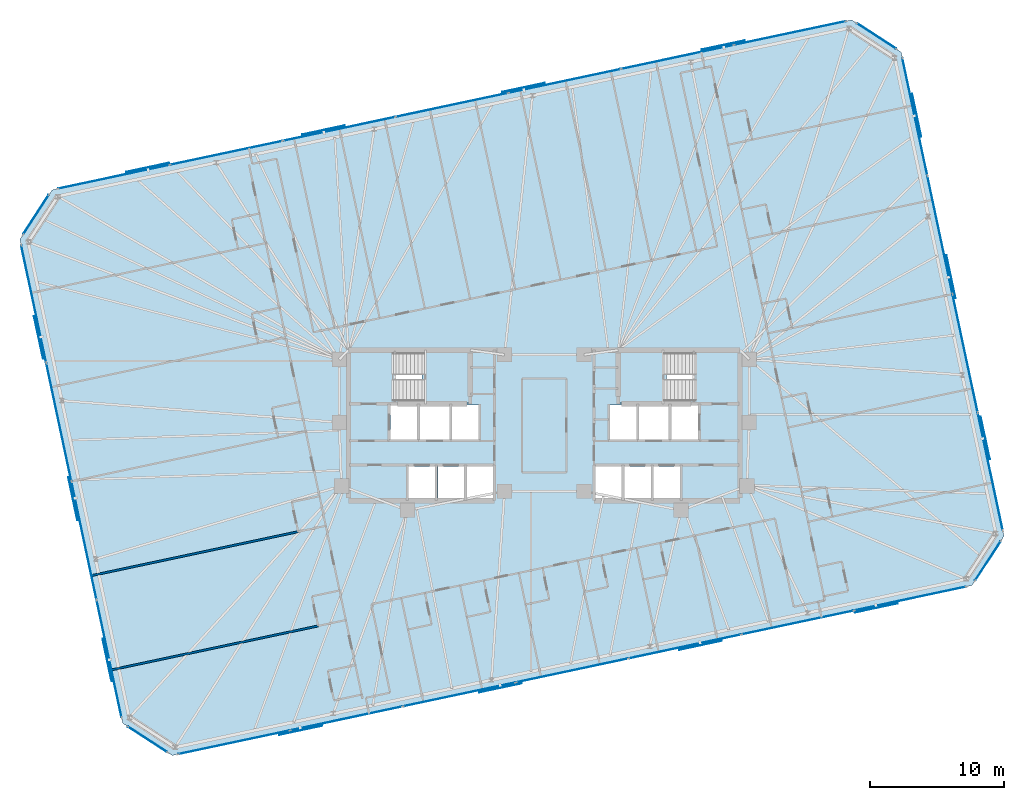
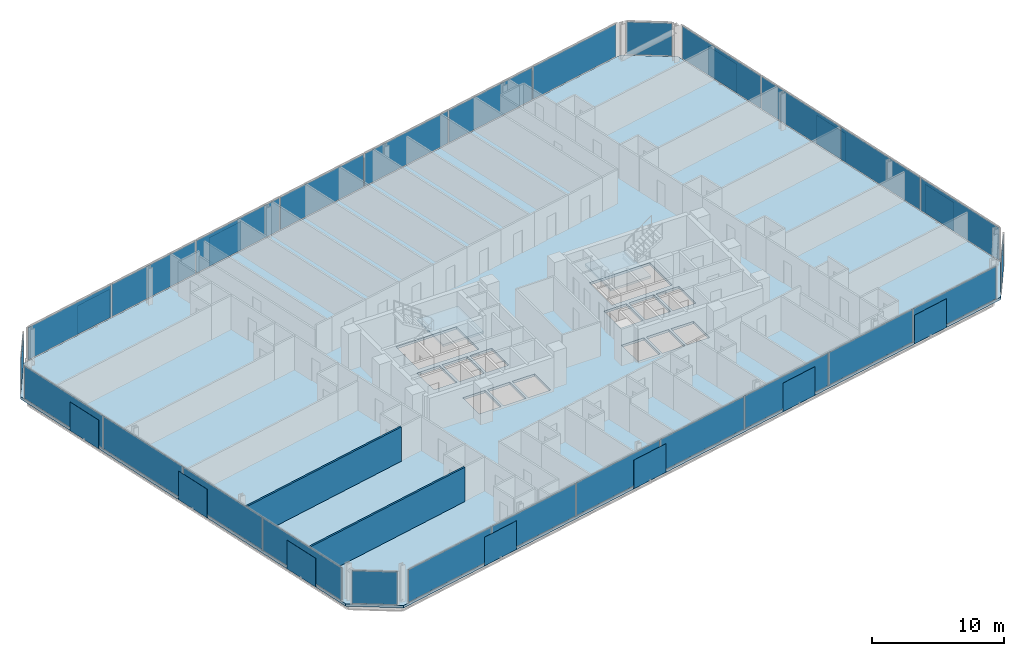
# One storey, part 13 of 21: 40 plates, 3 slabs, 2 walls, 10 elements without a shape of their own.
"""IFC4 building model written with IfcOpenShell, lengths in metres."""

from ifc_helpers import new_model, si_unit, direction, frame, frame_2d, origin, origin_2d, place, context, subcontext, project, spatial, polyline, rectangle, outline, extrude, material, layer, layer_set, type_object, element, aggregate, save


model = new_model("IFC4")

# Units and contexts
model_context = context("Model", 3, precision=1e-05, world=origin(), true_north=direction((0.0, 1.0)))
body_context = subcontext(model_context, "Body", "Model", "MODEL_VIEW")
ifc_project = project(units=[si_unit("LENGTHUNIT", "METRE"), si_unit("AREAUNIT", "SQUARE_METRE"), si_unit("VOLUMEUNIT", "CUBIC_METRE"), si_unit("PLANEANGLEUNIT", "RADIAN"), si_unit("MASSUNIT", "GRAM", prefix="KILO")], contexts=[model_context])

# Site, building, storey
site_placement = place(None, origin())
site = spatial("IfcSite", under=ifc_project, at=site_placement, CompositionType="ELEMENT")
building_placement = place(site_placement, origin())
building = spatial("IfcBuilding", under=site, at=building_placement, Name="Menara Jurai Vektor", CompositionType="ELEMENT")
storey_placement = place(building_placement, frame((0.0, 0.0, 188.800048828125)))
storey = spatial("IfcBuildingStorey", under=building, at=storey_placement, Name="L49", CompositionType="ELEMENT", Elevation=188.800048828125)

# Curtain wall, plates
ifc_material_1 = material(Name="Anodised Pale Aluminium & Low-E Double Glazing", Category="aluminium")
curtain_wall_type = type_object("IfcCurtainWallType", Name="CW-BLK3", PredefinedType="NOTDEFINED", material=ifc_material_1)
curtain_wall_1_placement = place(storey_placement, origin())
curtain_wall_1 = element("IfcCurtainWall", 1, at=curtain_wall_1_placement, inside=storey, type_object=curtain_wall_type, Name="Unitised Curtain Wall L49 F01", PredefinedType="NOTDEFINED")
ifc_material_2 = material(Name="Low-E Solar-Control Double Glazed Unit", Category="glass")
ifc_layer_1 = layer(ifc_material_2, 0.031982421875)
ifc_layer_set_1 = layer_set([ifc_layer_1], Name="Low-E Solar-Control Double Glazed Unit")
plate_type_1 = type_object("IfcPlateType", Name="CW-BLK3-PNL", PredefinedType="CURTAIN_PANEL", material=ifc_layer_set_1)
plate_1_placement = place(storey_placement, frame((-23.078369140625, -23.57568359375, 0.0849609375), z_axis=(0.0, 0.0, 1.0), x_axis=(0.978147674419, 0.207911344156, 0.0)))
plate_1 = element("IfcPlate", 2, at=plate_1_placement, type_object=plate_type_1, Name="CW-03 panel 1.1", PredefinedType="CURTAIN_PANEL", context=body_context, shape_type="SweptSolid", body=[
    extrude(rectangle(XDim=8.44970703125, YDim=0.031982421875, at=origin_2d()), origin(), (0.0, 0.0, 1.0), 3.0048828125),
])
plate_2_placement = place(storey_placement, frame((-14.709228515625, -21.796875, 0.0849609375), z_axis=(0.0, 0.0, 1.0), x_axis=(0.978147674419, 0.207911344156, 0.0)))
plate_2 = element("IfcPlate", 3, at=plate_2_placement, type_object=plate_type_1, Name="CW-03 panel 2.1", PredefinedType="CURTAIN_PANEL", context=body_context, shape_type="SweptSolid", body=[
    extrude(rectangle(XDim=8.4921875, YDim=0.031982421875, at=origin_2d()), origin(), (0.0, 0.0, 1.0), 3.0048828125),
])
plate_3_placement = place(storey_placement, frame((-6.319580078125, -20.013427734375, 0.0849609375), z_axis=(0.0, 0.0, 1.0), x_axis=(0.978147674419, 0.207911344156, 0.0)))
plate_3 = element("IfcPlate", 4, at=plate_3_placement, type_object=plate_type_1, Name="CW-03 panel 3.1", PredefinedType="CURTAIN_PANEL", context=body_context, shape_type="SweptSolid", body=[
    extrude(rectangle(XDim=8.4921875, YDim=0.031982421875, at=origin_2d()), origin(), (0.0, 0.0, 1.0), 3.0048828125),
])
plate_4_placement = place(storey_placement, frame((2.070068359375, -18.230224609375, 0.0849609375), z_axis=(0.0, 0.0, 1.0), x_axis=(0.978147674419, 0.207911344156, 0.0)))
plate_4 = element("IfcPlate", 5, at=plate_4_placement, type_object=plate_type_1, Name="CW-03 panel 4.1", PredefinedType="CURTAIN_PANEL", context=body_context, shape_type="SweptSolid", body=[
    extrude(rectangle(XDim=8.4921875, YDim=0.031982421875, at=origin_2d()), origin(), (0.0, 0.0, 1.0), 3.0048828125),
])
plate_5_placement = place(storey_placement, frame((10.459716796875, -16.447021484375, 0.0849609375), z_axis=(0.0, 0.0, 1.0), x_axis=(0.978147674419, 0.207911344156, 0.0)))
plate_5 = element("IfcPlate", 6, at=plate_5_placement, type_object=plate_type_1, Name="CW-03 panel 5.1", PredefinedType="CURTAIN_PANEL", context=body_context, shape_type="SweptSolid", body=[
    extrude(rectangle(XDim=8.4921875, YDim=0.031982421875, at=origin_2d()), origin(), (0.0, 0.0, 1.0), 3.0048828125),
])
plate_6_placement = place(storey_placement, frame((18.849609375, -14.66357421875, 0.0849609375), z_axis=(0.0, 0.0, 1.0), x_axis=(0.978147674419, 0.207911344156, 0.0)))
plate_6 = element("IfcPlate", 7, at=plate_6_placement, type_object=plate_type_1, Name="CW-03 panel 6.1", PredefinedType="CURTAIN_PANEL", context=body_context, shape_type="SweptSolid", body=[
    extrude(rectangle(XDim=8.4921875, YDim=0.031982421875, at=origin_2d()), origin(), (0.0, 0.0, 1.0), 3.0048828125),
])
plate_7_placement = place(storey_placement, frame((27.218505859375, -12.884765625, 0.0849609375), z_axis=(0.0, 0.0, 1.0), x_axis=(0.978147674419, 0.207911344156, 0.0)))
plate_7 = element("IfcPlate", 8, at=plate_7_placement, type_object=plate_type_1, Name="CW-03 panel 7.1", PredefinedType="CURTAIN_PANEL", context=body_context, shape_type="SweptSolid", body=[
    extrude(rectangle(XDim=8.44970703125, YDim=0.031982421875, at=origin_2d()), origin(), (0.0, 0.0, 1.0), 3.0048828125),
])
aggregate(curtain_wall_1, [plate_1, plate_2, plate_3, plate_4, plate_5, plate_6, plate_7])

curtain_wall_2_placement = place(storey_placement, origin())
curtain_wall_2 = element("IfcCurtainWall", 9, at=curtain_wall_2_placement, inside=storey, type_object=curtain_wall_type, Name="Unitised Curtain Wall L49 F03", PredefinedType="NOTDEFINED")
plate_8_placement = place(storey_placement, frame((33.17333984375, -3.433837890625, 0.0849609375), z_axis=(0.0, 0.0, 1.0), x_axis=(-0.20791035839, 0.978147883949, 0.0)))
plate_8 = element("IfcPlate", 10, at=plate_8_placement, type_object=plate_type_1, Name="CW-03 panel 1.1", PredefinedType="CURTAIN_PANEL", context=body_context, shape_type="SweptSolid", body=[
    extrude(rectangle(XDim=8.882568359375, YDim=0.031982421875, at=origin_2d()), origin(), (0.0, 0.0, 1.0), 3.0048828125),
])
plate_9_placement = place(storey_placement, frame((31.3046875, 5.3583984375, 0.0849609375), z_axis=(0.0, 0.0, 1.0), x_axis=(-0.20791035839, 0.978147883949, 0.0)))
plate_9 = element("IfcPlate", 11, at=plate_9_placement, type_object=plate_type_1, Name="CW-03 panel 2.1", PredefinedType="CURTAIN_PANEL", context=body_context, shape_type="SweptSolid", body=[
    extrude(rectangle(XDim=8.925048828125, YDim=0.031982421875, at=origin_2d()), origin(), (0.0, 0.0, 1.0), 3.0048828125),
])
plate_10_placement = place(storey_placement, frame((29.431396484375, 14.171630859375, 0.0849609375), z_axis=(0.0, 0.0, 1.0), x_axis=(-0.20791035839, 0.978147883949, 0.0)))
plate_10 = element("IfcPlate", 12, at=plate_10_placement, type_object=plate_type_1, Name="CW-03 panel 3.1", PredefinedType="CURTAIN_PANEL", context=body_context, shape_type="SweptSolid", body=[
    extrude(rectangle(XDim=8.925048828125, YDim=0.031982421875, at=origin_2d()), origin(), (0.0, 0.0, 1.0), 3.0048828125),
])
plate_11_placement = place(storey_placement, frame((27.5625, 22.9638671875, 0.0849609375), z_axis=(0.0, 0.0, 1.0), x_axis=(-0.20791035839, 0.978147883949, 0.0)))
plate_11 = element("IfcPlate", 13, at=plate_11_placement, type_object=plate_type_1, Name="CW-03 panel 4.1", PredefinedType="CURTAIN_PANEL", context=body_context, shape_type="SweptSolid", body=[
    extrude(rectangle(XDim=8.882568359375, YDim=0.031982421875, at=origin_2d()), origin(), (0.0, 0.0, 1.0), 3.0048828125),
])
aggregate(curtain_wall_2, [plate_8, plate_9, plate_10, plate_11])

curtain_wall_3_placement = place(storey_placement, origin())
curtain_wall_3 = element("IfcCurtainWall", 14, at=curtain_wall_3_placement, inside=storey, type_object=curtain_wall_type, Name="Unitised Curtain Wall L49 F05", PredefinedType="NOTDEFINED")
plate_12_placement = place(storey_placement, frame((18.2783203125, 29.175537109375, 0.0849609375), z_axis=(0.0, 0.0, 1.0), x_axis=(-0.978147674419, -0.207911344156, 0.0)))
plate_12 = element("IfcPlate", 15, at=plate_12_placement, type_object=plate_type_1, Name="CW-03 panel 1.1", PredefinedType="CURTAIN_PANEL", context=body_context, shape_type="SweptSolid", body=[
    extrude(rectangle(XDim=8.44970703125, YDim=0.031982421875, at=origin_2d()), origin(), (0.0, 0.0, 1.0), 3.0048828125),
])
plate_13_placement = place(storey_placement, frame((9.909423828125, 27.396728515625, 0.0849609375), z_axis=(0.0, 0.0, 1.0), x_axis=(-0.978147674419, -0.207911344156, 0.0)))
plate_13 = element("IfcPlate", 16, at=plate_13_placement, type_object=plate_type_1, Name="CW-03 panel 2.1", PredefinedType="CURTAIN_PANEL", context=body_context, shape_type="SweptSolid", body=[
    extrude(rectangle(XDim=8.4921875, YDim=0.031982421875, at=origin_2d()), origin(), (0.0, 0.0, 1.0), 3.0048828125),
])
plate_14_placement = place(storey_placement, frame((1.51953125, 25.613525390625, 0.0849609375), z_axis=(0.0, 0.0, 1.0), x_axis=(-0.978147674419, -0.207911344156, 0.0)))
plate_14 = element("IfcPlate", 17, at=plate_14_placement, type_object=plate_type_1, Name="CW-03 panel 3.1", PredefinedType="CURTAIN_PANEL", context=body_context, shape_type="SweptSolid", body=[
    extrude(rectangle(XDim=8.4921875, YDim=0.031982421875, at=origin_2d()), origin(), (0.0, 0.0, 1.0), 3.0048828125),
])
plate_15_placement = place(storey_placement, frame((-6.8701171875, 23.830078125, 0.0849609375), z_axis=(0.0, 0.0, 1.0), x_axis=(-0.978147674419, -0.207911344156, 0.0)))
plate_15 = element("IfcPlate", 18, at=plate_15_placement, type_object=plate_type_1, Name="CW-03 panel 4.1", PredefinedType="CURTAIN_PANEL", context=body_context, shape_type="SweptSolid", body=[
    extrude(rectangle(XDim=8.4921875, YDim=0.031982421875, at=origin_2d()), origin(), (0.0, 0.0, 1.0), 3.0048828125),
])
plate_16_placement = place(storey_placement, frame((-15.259765625, 22.046875, 0.0849609375), z_axis=(0.0, 0.0, 1.0), x_axis=(-0.978147674419, -0.207911344156, 0.0)))
plate_16 = element("IfcPlate", 19, at=plate_16_placement, type_object=plate_type_1, Name="CW-03 panel 5.1", PredefinedType="CURTAIN_PANEL", context=body_context, shape_type="SweptSolid", body=[
    extrude(rectangle(XDim=8.4921875, YDim=0.031982421875, at=origin_2d()), origin(), (0.0, 0.0, 1.0), 3.0048828125),
])
plate_17_placement = place(storey_placement, frame((-23.6494140625, 20.263671875, 0.0849609375), z_axis=(0.0, 0.0, 1.0), x_axis=(-0.978147674419, -0.207911344156, 0.0)))
plate_17 = element("IfcPlate", 20, at=plate_17_placement, type_object=plate_type_1, Name="CW-03 panel 6.1", PredefinedType="CURTAIN_PANEL", context=body_context, shape_type="SweptSolid", body=[
    extrude(rectangle(XDim=8.4921875, YDim=0.031982421875, at=origin_2d()), origin(), (0.0, 0.0, 1.0), 3.0048828125),
])
plate_18_placement = place(storey_placement, frame((-32.0185546875, 18.48486328125, 0.0849609375), z_axis=(0.0, 0.0, 1.0), x_axis=(-0.978147674419, -0.207911344156, 0.0)))
plate_18 = element("IfcPlate", 21, at=plate_18_placement, type_object=plate_type_1, Name="CW-03 panel 7.1", PredefinedType="CURTAIN_PANEL", context=body_context, shape_type="SweptSolid", body=[
    extrude(rectangle(XDim=8.44970703125, YDim=0.031982421875, at=origin_2d()), origin(), (0.0, 0.0, 1.0), 3.0048828125),
])
aggregate(curtain_wall_3, [plate_12, plate_13, plate_14, plate_15, plate_16, plate_17, plate_18])

curtain_wall_4_placement = place(storey_placement, origin())
curtain_wall_4 = element("IfcCurtainWall", 22, at=curtain_wall_4_placement, inside=storey, type_object=curtain_wall_type, Name="Unitised Curtain Wall L49 F07", PredefinedType="NOTDEFINED")
plate_19_placement = place(storey_placement, frame((-37.973388671875, 9.033935546875, 0.0849609375), z_axis=(0.0, 0.0, 1.0), x_axis=(0.20791035839, -0.978147883949, 0.0)))
plate_19 = element("IfcPlate", 23, at=plate_19_placement, type_object=plate_type_1, Name="CW-03 panel 1.1", PredefinedType="CURTAIN_PANEL", context=body_context, shape_type="SweptSolid", body=[
    extrude(rectangle(XDim=8.882568359375, YDim=0.031982421875, at=origin_2d()), origin(), (0.0, 0.0, 1.0), 3.0048828125),
])
plate_20_placement = place(storey_placement, frame((-36.1044921875, 0.241455078125, 0.0849609375), z_axis=(0.0, 0.0, 1.0), x_axis=(0.20791035839, -0.978147883949, 0.0)))
plate_20 = element("IfcPlate", 24, at=plate_20_placement, type_object=plate_type_1, Name="CW-03 panel 2.1", PredefinedType="CURTAIN_PANEL", context=body_context, shape_type="SweptSolid", body=[
    extrude(rectangle(XDim=8.925048828125, YDim=0.031982421875, at=origin_2d()), origin(), (0.0, 0.0, 1.0), 3.0048828125),
])
plate_21_placement = place(storey_placement, frame((-34.231201171875, -8.571533203125, 0.0849609375), z_axis=(0.0, 0.0, 1.0), x_axis=(0.20791035839, -0.978147883949, 0.0)))
plate_21 = element("IfcPlate", 25, at=plate_21_placement, type_object=plate_type_1, Name="CW-03 panel 3.1", PredefinedType="CURTAIN_PANEL", context=body_context, shape_type="SweptSolid", body=[
    extrude(rectangle(XDim=8.925048828125, YDim=0.031982421875, at=origin_2d()), origin(), (0.0, 0.0, 1.0), 3.0048828125),
])
plate_22_placement = place(storey_placement, frame((-32.362548828125, -17.364013671875, 0.0849609375), z_axis=(0.0, 0.0, 1.0), x_axis=(0.20791035839, -0.978147883949, 0.0)))
plate_22 = element("IfcPlate", 26, at=plate_22_placement, type_object=plate_type_1, Name="CW-03 panel 4.1", PredefinedType="CURTAIN_PANEL", context=body_context, shape_type="SweptSolid", body=[
    extrude(rectangle(XDim=8.882568359375, YDim=0.031982421875, at=origin_2d()), origin(), (0.0, 0.0, 1.0), 3.0048828125),
])
aggregate(curtain_wall_4, [plate_19, plate_20, plate_21, plate_22])

# Curtain wall, plate
curtain_wall_5_placement = place(storey_placement, origin())
curtain_wall_5 = element("IfcCurtainWall", 27, at=curtain_wall_5_placement, inside=storey, type_object=curtain_wall_type, Name="Unitised Curtain Wall L49 F02", PredefinedType="NOTDEFINED")
ifc_material_3 = material(Name="Insulated Pale Aluminium Spandrel Panel", Category="aluminium")
ifc_layer_2 = layer(ifc_material_3, 0.06005859375)
ifc_layer_set_2 = layer_set([ifc_layer_2], Name="Insulated Pale Aluminium Spandrel Panel")
plate_type_2 = type_object("IfcPlateType", Name="CW-PNL-SP", PredefinedType="CURTAIN_PANEL", material=ifc_layer_set_2)
plate_23_placement = place(storey_placement, frame((32.999755859375, -10.0712890625, 0.0849609375), z_axis=(0.0, 0.0, 1.0), x_axis=(0.544617794346, 0.838684361415, 0.0)))
plate_23 = element("IfcPlate", 28, at=plate_23_placement, type_object=plate_type_2, Name="CW-03 panel 1.1", PredefinedType="CURTAIN_PANEL", context=body_context, shape_type="SweptSolid", body=[
    extrude(rectangle(XDim=3.4541015625, YDim=0.06005859375, at=origin_2d()), origin(), (0.0, 0.0, 1.0), 3.0048828125),
])
aggregate(curtain_wall_5, [plate_23])

curtain_wall_6_placement = place(storey_placement, origin())
curtain_wall_6 = element("IfcCurtainWall", 29, at=curtain_wall_6_placement, inside=storey, type_object=curtain_wall_type, Name="Unitised Curtain Wall L49 F04", PredefinedType="NOTDEFINED")
plate_24_placement = place(storey_placement, frame((24.7041015625, 28.956787109375, 0.0849609375), z_axis=(0.0, 0.0, 1.0), x_axis=(-0.838684361415, 0.544617794346, 0.0)))
plate_24 = element("IfcPlate", 30, at=plate_24_placement, type_object=plate_type_2, Name="CW-03 panel 1.1", PredefinedType="CURTAIN_PANEL", context=body_context, shape_type="SweptSolid", body=[
    extrude(rectangle(XDim=3.4541015625, YDim=0.06005859375, at=origin_2d()), origin(), (0.0, 0.0, 1.0), 3.0048828125),
])
aggregate(curtain_wall_6, [plate_24])

curtain_wall_7_placement = place(storey_placement, origin())
curtain_wall_7 = element("IfcCurtainWall", 31, at=curtain_wall_7_placement, inside=storey, type_object=curtain_wall_type, Name="Unitised Curtain Wall L49 F06", PredefinedType="NOTDEFINED")
plate_25_placement = place(storey_placement, frame((-37.799560546875, 15.67138671875, 0.0849609375), z_axis=(0.0, 0.0, 1.0), x_axis=(-0.544617794346, -0.838684361415, 0.0)))
plate_25 = element("IfcPlate", 32, at=plate_25_placement, type_object=plate_type_2, Name="CW-03 panel 1.1", PredefinedType="CURTAIN_PANEL", context=body_context, shape_type="SweptSolid", body=[
    extrude(rectangle(XDim=3.4541015625, YDim=0.06005859375, at=origin_2d()), origin(), (0.0, 0.0, 1.0), 3.0048828125),
])
aggregate(curtain_wall_7, [plate_25])

curtain_wall_8_placement = place(storey_placement, origin())
curtain_wall_8 = element("IfcCurtainWall", 33, at=curtain_wall_8_placement, inside=storey, type_object=curtain_wall_type, Name="Unitised Curtain Wall L49 F08", PredefinedType="NOTDEFINED")
plate_26_placement = place(storey_placement, frame((-29.50390625, -23.35693359375, 0.0849609375), z_axis=(0.0, 0.0, 1.0), x_axis=(0.838684361415, -0.544617794346, 0.0)))
plate_26 = element("IfcPlate", 34, at=plate_26_placement, type_object=plate_type_2, Name="CW-03 panel 1.1", PredefinedType="CURTAIN_PANEL", context=body_context, shape_type="SweptSolid", body=[
    extrude(rectangle(XDim=3.4541015625, YDim=0.06005859375, at=origin_2d()), origin(), (0.0, 0.0, 1.0), 3.0048828125),
])
aggregate(curtain_wall_8, [plate_26])

# Plates
ifc_material_4 = material(Name="Anodised Pale Aluminium Perforated Screen", Category="aluminium")
ifc_layer_3 = layer(ifc_material_4, 0.02294921875)
ifc_layer_set_3 = layer_set([ifc_layer_3], Name="Anodised Pale Aluminium Perforated Screen")
plate_type_3 = type_object("IfcPlateType", Name="ENV-PLT-SCREEN-MID", PredefinedType="USERDEFINED", material=ifc_layer_set_3)
for number, where, z_axis, x_axis, name in (
    (35, (-18.116943359375, -22.6845703125, -0.050048828125), (0.0, 0.0, 1.0), (0.978147600734, 0.207911690818, 0.0), "Perforated Pale-Metal Solar Screen L49-S01"),
    (36, (-3.2490234375, -19.5244140625, -0.050048828125), (0.0, 0.0, 1.0), (0.978147600734, 0.207911690818, 0.0), "Perforated Pale-Metal Solar Screen L49-S02"),
    (37, (11.618896484375, -16.364013671875, -0.050048828125), (0.0, 0.0, 1.0), (0.978147600734, 0.207911690818, 0.0), "Perforated Pale-Metal Solar Screen L49-S03"),
    (38, (24.702392578125, -13.5830078125, -0.050048828125), (0.0, 0.0, 1.0), (0.978147600734, 0.207911690818, 0.0), "Perforated Pale-Metal Solar Screen L49-S04"),
    (39, (32.806884765625, -0.9404296875, -0.050048828125), (0.0, 0.0, 1.0), (-0.207911690818, 0.978147600734, 0.0), "Perforated Pale-Metal Solar Screen L49-S05"),
    (40, (30.256591796875, 11.05810546875, -0.050048828125), (0.0, 0.0, 1.0), (-0.207911690818, 0.978147600734, 0.0), "Perforated Pale-Metal Solar Screen L49-S06"),
    (41, (27.706298828125, 23.056884765625, -0.050048828125), (0.0, 0.0, 1.0), (-0.207911690818, 0.978147600734, 0.0), "Perforated Pale-Metal Solar Screen L49-S07"),
    (42, (13.31689453125, 28.28466796875, -0.050048828125), (0.0, 0.0, 1.0), (-0.978147600734, -0.207911690818, 0.0), "Perforated Pale-Metal Solar Screen L49-S08"),
    (43, (-1.55078125, 25.12451171875, -0.050048828125), (0.0, 0.0, 1.0), (-0.978147600734, -0.207911690818, 0.0), "Perforated Pale-Metal Solar Screen L49-S09"),
    (44, (-16.418701171875, 21.964111328125, -0.050048828125), (0.0, 0.0, 1.0), (-0.978147600734, -0.207911690818, 0.0), "Perforated Pale-Metal Solar Screen L49-S10"),
    (45, (-29.50244140625, 19.18310546875, -0.050048828125), (0.0, 0.0, 1.0), (-0.978147600734, -0.207911690818, 0.0), "Perforated Pale-Metal Solar Screen L49-S11"),
    (46, (-37.60693359375, 6.54052734375, -0.050048828125), (0.0, 0.0, 1.0), (0.207911690818, -0.978147600734, 0.0), "Perforated Pale-Metal Solar Screen L49-S12"),
    (47, (-35.056640625, -5.458251953125, -0.050048828125), (0.0, 0.0, 1.0), (0.207911690818, -0.978147600734, 0.0), "Perforated Pale-Metal Solar Screen L49-S13"),
    (48, (-32.50634765625, -17.456787109375, -0.050048828125), (0.0, 0.0, 1.0), (0.207911690818, -0.978147600734, 0.0), "Perforated Pale-Metal Solar Screen L49-S14"),
):
    element("IfcPlate", number, at=place(storey_placement, frame(where, z_axis=z_axis, x_axis=x_axis)), inside=storey, type_object=plate_type_3, Name=name, ObjectType="SCREEN", PredefinedType="USERDEFINED", context=body_context, shape_type="SweptSolid", body=[
        extrude(rectangle(XDim=3.25, YDim=0.02294921875, at=origin_2d()), origin(), (0.0, 0.0, 1.0), 2.64990234375),
    ])

# Stair, slab
ifc_material_5 = material(Name="Concrete C40/50", Category="concrete")
stair_type = type_object("IfcStairType", Name="STAIR-DOGLEG-1500", PredefinedType="HALF_TURN_STAIR", material=ifc_material_5)
stair_1_placement = place(storey_placement, origin())
stair_1 = element("IfcStair", 49, at=stair_1_placement, inside=storey, type_object=stair_type, Name="Protected Exit Stair ST1 L49", PredefinedType="HALF_TURN_STAIR")
ifc_layer_4 = layer(ifc_material_5, 0.199951171875)
ifc_layer_set_4 = layer_set([ifc_layer_4], Name="Concrete C40/50")
slab_type_1 = type_object("IfcSlabType", Name="STAIR-LANDING-200", PredefinedType="LANDING", material=ifc_layer_set_4)
slab_1_placement = place(storey_placement, frame((0.0, 0.0, 1.5)))
slab_1 = element("IfcSlab", 50, at=slab_1_placement, type_object=slab_type_1, Name="ST1 landing 1", PredefinedType="LANDING", context=body_context, shape_type="SweptSolid", body=[
    extrude(outline(polyline([(-9.080078125, 1.64990234375), (-5.550048828125, 1.64990234375), (-5.550048828125, 5.550048828125), (-9.080078125, 5.550048828125), (-9.080078125, 1.64990234375)])), origin(), (0.0, 0.0, 1.0), 0.199951171875),
])
aggregate(stair_1, [slab_1])

stair_2_placement = place(storey_placement, origin())
stair_2 = element("IfcStair", 51, at=stair_2_placement, inside=storey, type_object=stair_type, Name="Protected Exit Stair ST2 L49", PredefinedType="HALF_TURN_STAIR")
slab_2_placement = place(storey_placement, frame((0.0, 0.0, 1.5)))
slab_2 = element("IfcSlab", 52, at=slab_2_placement, type_object=slab_type_1, Name="ST2 landing 1", PredefinedType="LANDING", context=body_context, shape_type="SweptSolid", body=[
    extrude(outline(polyline([(5.550048828125, 1.64990234375), (9.080078125, 1.64990234375), (9.080078125, 5.550048828125), (5.550048828125, 5.550048828125), (5.550048828125, 1.64990234375)])), origin(), (0.0, 0.0, 1.0), 0.199951171875),
])
aggregate(stair_2, [slab_2])

# Slab
ifc_layer_5 = layer(ifc_material_5, 0.22509765625)
ifc_layer_set_5 = layer_set([ifc_layer_5], Name="Concrete C40/50")
slab_type_2 = type_object("IfcSlabType", Name="STR-SLAB-TYP200", PredefinedType="FLOOR", material=ifc_layer_set_5)
slab_3_placement = place(storey_placement, frame((0.0, 0.0, -0.22509765625)))
element("IfcSlab", 53, at=slab_3_placement, inside=storey, type_object=slab_type_2, Name="Composite Floor Slab L49", PredefinedType="FLOOR", context=body_context, shape_type="SweptSolid", body=[
    extrude(outline(polyline([(-27.66552734375, -24.55078125), (31.805908203125, -11.90966796875), (34.193603515625, -8.23291015625), (26.54248046875, 27.762939453125), (22.865478515625, 30.150634765625), (-36.605712890625, 17.509765625), (-38.993408203125, 13.8330078125), (-31.34228515625, -22.1630859375), (-27.66552734375, -24.55078125)]), holes=[polyline([(-11.10009765625, 1.89990234375), (-11.10009765625, 5.300048828125), (-5.800048828125, 5.300048828125), (-5.800048828125, 1.89990234375), (-11.10009765625, 1.89990234375)]), polyline([(5.800048828125, 1.89990234375), (5.800048828125, 5.300048828125), (11.10009765625, 5.300048828125), (11.10009765625, 1.89990234375), (5.800048828125, 1.89990234375)]), polyline([(-11.449951171875, -1.050048828125), (-11.449951171875, 1.5), (-9.449951171875, 1.5), (-9.449951171875, -1.050048828125), (-11.449951171875, -1.050048828125)]), polyline([(9.449951171875, -1.050048828125), (9.449951171875, 1.5), (11.449951171875, 1.5), (11.449951171875, -1.050048828125), (9.449951171875, -1.050048828125)]), polyline([(-5.760009765625, -5.5), (-5.760009765625, -3.050048828125), (-3.800048828125, -3.050048828125), (-3.800048828125, -5.5), (-5.760009765625, -5.5)]), polyline([(-6.85009765625, -1.050048828125), (-6.85009765625, 1.5), (-4.889892578125, 1.5), (-4.889892578125, -1.050048828125), (-6.85009765625, -1.050048828125)]), polyline([(3.800048828125, -5.5), (3.800048828125, -3.050048828125), (5.760009765625, -3.050048828125), (5.760009765625, -5.5), (3.800048828125, -5.5)]), polyline([(4.889892578125, -1.050048828125), (4.889892578125, 1.5), (6.85009765625, 1.5), (6.85009765625, -1.050048828125), (4.889892578125, -1.050048828125)]), polyline([(-10.080078125, -5.5), (-10.080078125, -3.050048828125), (-8.1201171875, -3.050048828125), (-8.1201171875, -5.5), (-10.080078125, -5.5)]), polyline([(-7.919921875, -5.5), (-7.919921875, -3.050048828125), (-5.9599609375, -3.050048828125), (-5.9599609375, -5.5), (-7.919921875, -5.5)]), polyline([(5.9599609375, -5.5), (5.9599609375, -3.050048828125), (7.919921875, -3.050048828125), (7.919921875, -5.5), (5.9599609375, -5.5)]), polyline([(8.1201171875, -5.5), (8.1201171875, -3.050048828125), (10.080078125, -3.050048828125), (10.080078125, -5.5), (8.1201171875, -5.5)]), polyline([(-9.25, -1.050048828125), (-9.25, 1.5), (-7.050048828125, 1.5), (-7.050048828125, -1.050048828125), (-9.25, -1.050048828125)]), polyline([(7.050048828125, -1.050048828125), (7.050048828125, 1.5), (9.25, 1.5), (9.25, -1.050048828125), (7.050048828125, -1.050048828125)])]), origin(), (0.0, 0.0, 1.0), 0.22509765625),
])

# Walls
ifc_material_6 = material(Name="Gypsum Fireboard Partition", Category="gypsum")
ifc_layer_6 = layer(ifc_material_6, 0.14990234375)
ifc_layer_set_6 = layer_set([ifc_layer_6], Name="Gypsum Fireboard Partition")
wall_type = type_object("IfcWallType", Name="INT-WALL-CORR-150", PredefinedType="PARTITIONING", material=ifc_layer_set_6)
for number, where, z_axis, x_axis, name in (
    (54, (-32.18798828125, -18.184814453125, 0.0), (0.0, 0.0, 1.0), (0.978149296727, 0.207903711638, 0.0), "Interior Wall IW-150 L49"),
    (55, (-33.677734375, -11.17529296875, 0.0), (0.0, 0.0, 1.0), (0.978149296727, 0.207903711638, 0.0), "Interior Wall IW-150 L49"),
):
    element("IfcWall", number, at=place(storey_placement, frame(where, z_axis=z_axis, x_axis=x_axis)), inside=storey, type_object=wall_type, Name=name, PredefinedType="PARTITIONING", context=body_context, shape_type="SweptSolid", body=[
        extrude(rectangle(XDim=15.718017578125, YDim=0.14990234375, at=frame_2d((7.85888671875, 0.0))), origin(), (0.0, 0.0, 1.0), 3.175048828125),
    ])

save(model, "model.ifc")
